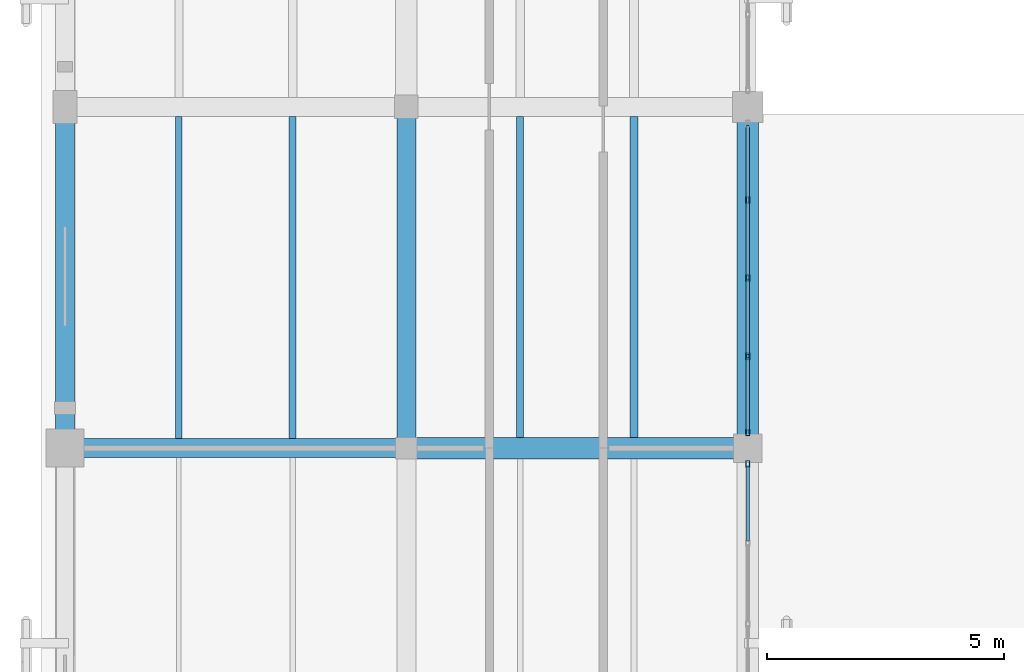
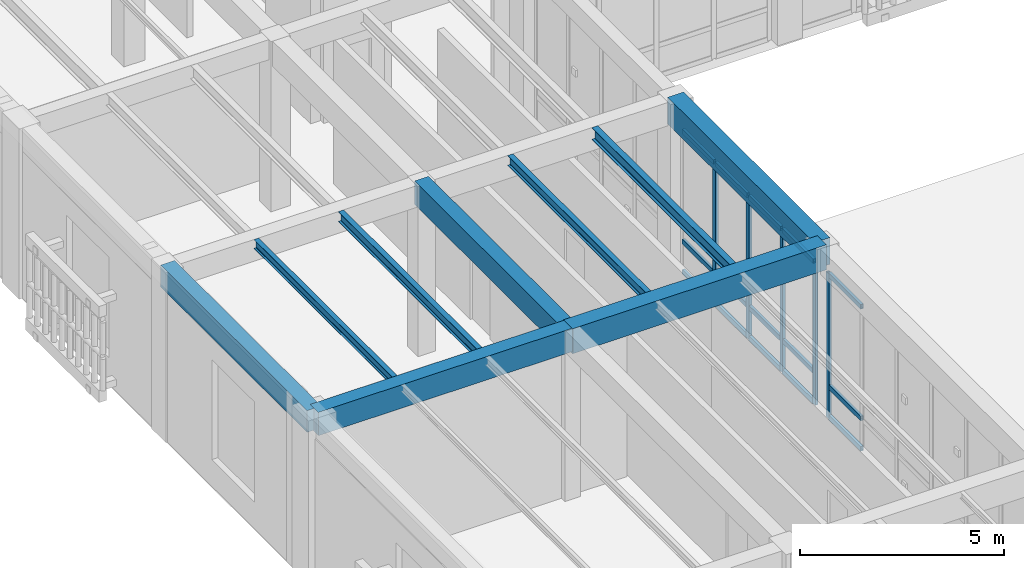
# One storey, part 31 of 169: 20 members, 9 beams, 2 elements without a shape of their own.
"""IFC4 building model written with IfcOpenShell, lengths in metres."""

from ifc_helpers import new_model, si_unit, direction, frame, origin, origin_2d, place, context, subcontext, project, spatial, rectangle, hollow_rectangle, i_section, extrude, material, layer, layer_set, material_profile, profile_set, type_object, element, aggregate, save


model = new_model("IFC4")

# Units and contexts
model_context = context("Model", 3, precision=1e-05, world=origin(), true_north=direction((0.0, 1.0)))
body_context = subcontext(model_context, "Body", "Model", "MODEL_VIEW")
ifc_project = project(units=[si_unit("LENGTHUNIT", "METRE"), si_unit("AREAUNIT", "SQUARE_METRE"), si_unit("VOLUMEUNIT", "CUBIC_METRE"), si_unit("PLANEANGLEUNIT", "RADIAN"), si_unit("MASSUNIT", "GRAM", prefix="KILO")], contexts=[model_context])

# Site, building, storey
site_placement = place(None, origin())
site = spatial("IfcSite", under=ifc_project, at=site_placement, CompositionType="ELEMENT")
building_placement = place(site_placement, origin())
building = spatial("IfcBuilding", under=site, at=building_placement, Name="Mazaris Harbour Polytechnic", CompositionType="ELEMENT")
storey_placement = place(building_placement, origin())
storey = spatial("IfcBuildingStorey", under=building, at=storey_placement, Name="L00", CompositionType="ELEMENT", Elevation=0.0)

# Curtain wall, member
ifc_material_1 = material(Name="Anodised Bronze Aluminium and Low-E Glass", Category="aluminium")
ifc_layer = layer(ifc_material_1, 0.159912109375, Name="Anodised Bronze Aluminium and Low-E Glass")
ifc_layer_set = layer_set([ifc_layer], Name="Anodised Bronze Aluminium and Low-E Glass")
curtain_wall_type = type_object("IfcCurtainWallType", Name="Cloister Court Curtain Wall", PredefinedType="NOTDEFINED", material=ifc_layer_set)
curtain_wall_1_placement = place(storey_placement, origin())
curtain_wall_1 = element("IfcCurtainWall", 1, at=curtain_wall_1_placement, inside=storey, type_object=curtain_wall_type, Name="V4 L00 Curtain Wall 104", PredefinedType="NOTDEFINED")
ifc_material_2 = material(Name="Anodised Bronze Steel S355", Category="steel")
ifc_material_profile_1 = material_profile(ifc_material_2, hollow_rectangle(XDim=0.080078125, YDim=0.139892578125, WallThickness=0.00634765625, at=origin_2d()), Name="RHS 80x140x6.3")
ifc_profile_set_1 = profile_set([ifc_material_profile_1], Name="Anodised Bronze Steel S355")
member_type_1 = type_object("IfcMemberType", Name="Curtain Mullion RHS80x140", PredefinedType="MULLION", material=ifc_profile_set_1)
member_1_placement = place(storey_placement, frame((14.39990234375, 53.66796875, 0.0), z_axis=(0.0, 0.0, 1.0), x_axis=(-1.0, 0.0, 0.0)))
member_1 = element("IfcMember", 2, at=member_1_placement, type_object=member_type_1, Name="CW-02 mullion 7", PredefinedType="MULLION", context=body_context, shape_type="SweptSolid", body=[
    extrude(hollow_rectangle(XDim=0.080078125, YDim=0.139892578125, WallThickness=0.00634765625, at=origin_2d()), origin(), (0.0, 0.0, 1.0), 4.340087890625),
])

# Curtain wall, members
curtain_wall_2_placement = place(storey_placement, origin())
curtain_wall_2 = element("IfcCurtainWall", 3, at=curtain_wall_2_placement, inside=storey, type_object=curtain_wall_type, Name="V4 L00 Curtain Wall 105", PredefinedType="NOTDEFINED")
member_2_placement = place(storey_placement, frame((14.39990234375, 54.33203125, 0.0), z_axis=(0.0, 0.0, 1.0), x_axis=(-1.0, 0.0, 0.0)))
member_2 = element("IfcMember", 4, at=member_2_placement, type_object=member_type_1, Name="CW-02 mullion 1", PredefinedType="MULLION", context=body_context, shape_type="SweptSolid", body=[
    extrude(hollow_rectangle(XDim=0.080078125, YDim=0.139892578125, WallThickness=0.00634765625, at=origin_2d()), origin(), (0.0, 0.0, 1.0), 4.2900390625),
])
member_3_placement = place(storey_placement, frame((14.39990234375, 55.939697265625, 0.0), z_axis=(0.0, 0.0, 1.0), x_axis=(-1.0, 0.0, 0.0)))
member_3 = element("IfcMember", 5, at=member_3_placement, type_object=member_type_1, Name="CW-02 mullion 2", PredefinedType="MULLION", context=body_context, shape_type="SweptSolid", body=[
    extrude(hollow_rectangle(XDim=0.080078125, YDim=0.139892578125, WallThickness=0.00634765625, at=origin_2d()), origin(), (0.0, 0.0, 1.0), 4.2900390625),
])
member_4_placement = place(storey_placement, frame((14.39990234375, 57.58740234375, 0.0), z_axis=(0.0, 0.0, 1.0), x_axis=(-1.0, 0.0, 0.0)))
member_4 = element("IfcMember", 6, at=member_4_placement, type_object=member_type_1, Name="CW-02 mullion 3", PredefinedType="MULLION", context=body_context, shape_type="SweptSolid", body=[
    extrude(hollow_rectangle(XDim=0.080078125, YDim=0.139892578125, WallThickness=0.00634765625, at=origin_2d()), origin(), (0.0, 0.0, 1.0), 4.2900390625),
])
member_5_placement = place(storey_placement, frame((14.39990234375, 59.2353515625, 0.0), z_axis=(0.0, 0.0, 1.0), x_axis=(-1.0, 0.0, 0.0)))
member_5 = element("IfcMember", 7, at=member_5_placement, type_object=member_type_1, Name="CW-02 mullion 4", PredefinedType="MULLION", context=body_context, shape_type="SweptSolid", body=[
    extrude(hollow_rectangle(XDim=0.080078125, YDim=0.139892578125, WallThickness=0.00634765625, at=origin_2d()), origin(), (0.0, 0.0, 1.0), 4.2900390625),
])

# Member
ifc_material_3 = material(Name="Anodised Bronze Steel S355", Category="steel")
ifc_material_profile_2 = material_profile(ifc_material_3, hollow_rectangle(XDim=0.080078125, YDim=0.139892578125, WallThickness=0.00634765625, at=origin_2d()), Name="RHS 80x140x6.3")
ifc_profile_set_2 = profile_set([ifc_material_profile_2], Name="Anodised Bronze Steel S355")
member_type_2 = type_object("IfcMemberType", Name="Curtain Transom RHS80x140", PredefinedType="USERDEFINED", material=ifc_profile_set_2)
member_6_placement = place(storey_placement, frame((14.39990234375, 52.041259765625, 0.0400390625), z_axis=(0.0, 1.0, 0.0), x_axis=(-1.0, 0.0, 0.0)))
member_6 = element("IfcMember", 8, at=member_6_placement, type_object=member_type_2, Name="CW-02 transom 6.1", ObjectType="TRANSOM", PredefinedType="USERDEFINED", context=body_context, shape_type="SweptSolid", body=[
    extrude(hollow_rectangle(XDim=0.080078125, YDim=0.139892578125, WallThickness=0.00634765625, at=origin_2d()), origin(), (0.0, 0.0, 1.0), 1.586669921875),
])

member_7_placement = place(storey_placement, frame((14.39990234375, 52.041259765625, 0.949951171875), z_axis=(0.0, 1.0, 0.0), x_axis=(-1.0, 0.0, 0.0)))
member_7 = element("IfcMember", 9, at=member_7_placement, type_object=member_type_2, Name="CW-02 transom 6.2", ObjectType="TRANSOM", PredefinedType="USERDEFINED", context=body_context, shape_type="SweptSolid", body=[
    extrude(hollow_rectangle(XDim=0.080078125, YDim=0.139892578125, WallThickness=0.00634765625, at=origin_2d()), origin(), (0.0, 0.0, 1.0), 1.586669921875),
])

member_8_placement = place(storey_placement, frame((14.39990234375, 52.041259765625, 4.300048828125), z_axis=(0.0, 1.0, 0.0), x_axis=(-1.0, 0.0, 0.0)))
member_8 = element("IfcMember", 10, at=member_8_placement, type_object=member_type_2, Name="CW-02 transom 6.3", ObjectType="TRANSOM", PredefinedType="USERDEFINED", context=body_context, shape_type="SweptSolid", body=[
    extrude(hollow_rectangle(XDim=0.080078125, YDim=0.139892578125, WallThickness=0.00634765625, at=origin_2d()), origin(), (0.0, 0.0, 1.0), 1.586669921875),
])

aggregate(curtain_wall_1, [member_1, member_6, member_7, member_8])

member_9_placement = place(storey_placement, frame((14.39990234375, 54.3720703125, 0.0400390625), z_axis=(0.0, 1.0, 0.0), x_axis=(-1.0, 0.0, 0.0)))
member_9 = element("IfcMember", 11, at=member_9_placement, type_object=member_type_2, Name="CW-02 transom 1.1", ObjectType="TRANSOM", PredefinedType="USERDEFINED", context=body_context, shape_type="SweptSolid", body=[
    extrude(hollow_rectangle(XDim=0.080078125, YDim=0.139892578125, WallThickness=0.00634765625, at=origin_2d()), origin(), (0.0, 0.0, 1.0), 1.527587890625),
])

member_10_placement = place(storey_placement, frame((14.39990234375, 54.3720703125, 0.949951171875), z_axis=(0.0, 1.0, 0.0), x_axis=(-1.0, 0.0, 0.0)))
member_10 = element("IfcMember", 12, at=member_10_placement, type_object=member_type_2, Name="CW-02 transom 1.2", ObjectType="TRANSOM", PredefinedType="USERDEFINED", context=body_context, shape_type="SweptSolid", body=[
    extrude(hollow_rectangle(XDim=0.080078125, YDim=0.139892578125, WallThickness=0.00634765625, at=origin_2d()), origin(), (0.0, 0.0, 1.0), 1.527587890625),
])

member_11_placement = place(storey_placement, frame((14.39990234375, 54.3720703125, 4.25), z_axis=(0.0, 1.0, 0.0), x_axis=(-1.0, 0.0, 0.0)))
member_11 = element("IfcMember", 13, at=member_11_placement, type_object=member_type_2, Name="CW-02 transom 1.3", ObjectType="TRANSOM", PredefinedType="USERDEFINED", context=body_context, shape_type="SweptSolid", body=[
    extrude(hollow_rectangle(XDim=0.080078125, YDim=0.139892578125, WallThickness=0.00634765625, at=origin_2d()), origin(), (0.0, 0.0, 1.0), 1.527587890625),
])

member_12_placement = place(storey_placement, frame((14.39990234375, 55.979736328125, 0.0400390625), z_axis=(0.0, 1.0, 0.0), x_axis=(-1.0, 0.0, 0.0)))
member_12 = element("IfcMember", 14, at=member_12_placement, type_object=member_type_2, Name="CW-02 transom 2.1", ObjectType="TRANSOM", PredefinedType="USERDEFINED", context=body_context, shape_type="SweptSolid", body=[
    extrude(hollow_rectangle(XDim=0.080078125, YDim=0.139892578125, WallThickness=0.00634765625, at=origin_2d()), origin(), (0.0, 0.0, 1.0), 1.56787109375),
])

member_13_placement = place(storey_placement, frame((14.39990234375, 55.979736328125, 0.949951171875), z_axis=(0.0, 1.0, 0.0), x_axis=(-1.0, 0.0, 0.0)))
member_13 = element("IfcMember", 15, at=member_13_placement, type_object=member_type_2, Name="CW-02 transom 2.2", ObjectType="TRANSOM", PredefinedType="USERDEFINED", context=body_context, shape_type="SweptSolid", body=[
    extrude(hollow_rectangle(XDim=0.080078125, YDim=0.139892578125, WallThickness=0.00634765625, at=origin_2d()), origin(), (0.0, 0.0, 1.0), 1.56787109375),
])

member_14_placement = place(storey_placement, frame((14.39990234375, 55.979736328125, 4.25), z_axis=(0.0, 1.0, 0.0), x_axis=(-1.0, 0.0, 0.0)))
member_14 = element("IfcMember", 16, at=member_14_placement, type_object=member_type_2, Name="CW-02 transom 2.3", ObjectType="TRANSOM", PredefinedType="USERDEFINED", context=body_context, shape_type="SweptSolid", body=[
    extrude(hollow_rectangle(XDim=0.080078125, YDim=0.139892578125, WallThickness=0.00634765625, at=origin_2d()), origin(), (0.0, 0.0, 1.0), 1.56787109375),
])

member_15_placement = place(storey_placement, frame((14.39990234375, 57.62744140625, 0.0400390625), z_axis=(0.0, 1.0, 0.0), x_axis=(-1.0, 0.0, 0.0)))
member_15 = element("IfcMember", 17, at=member_15_placement, type_object=member_type_2, Name="CW-02 transom 3.1", ObjectType="TRANSOM", PredefinedType="USERDEFINED", context=body_context, shape_type="SweptSolid", body=[
    extrude(hollow_rectangle(XDim=0.080078125, YDim=0.139892578125, WallThickness=0.00634765625, at=origin_2d()), origin(), (0.0, 0.0, 1.0), 1.56787109375),
])

member_16_placement = place(storey_placement, frame((14.39990234375, 57.62744140625, 0.949951171875), z_axis=(0.0, 1.0, 0.0), x_axis=(-1.0, 0.0, 0.0)))
member_16 = element("IfcMember", 18, at=member_16_placement, type_object=member_type_2, Name="CW-02 transom 3.2", ObjectType="TRANSOM", PredefinedType="USERDEFINED", context=body_context, shape_type="SweptSolid", body=[
    extrude(hollow_rectangle(XDim=0.080078125, YDim=0.139892578125, WallThickness=0.00634765625, at=origin_2d()), origin(), (0.0, 0.0, 1.0), 1.56787109375),
])

member_17_placement = place(storey_placement, frame((14.39990234375, 57.62744140625, 4.25), z_axis=(0.0, 1.0, 0.0), x_axis=(-1.0, 0.0, 0.0)))
member_17 = element("IfcMember", 19, at=member_17_placement, type_object=member_type_2, Name="CW-02 transom 3.3", ObjectType="TRANSOM", PredefinedType="USERDEFINED", context=body_context, shape_type="SweptSolid", body=[
    extrude(hollow_rectangle(XDim=0.080078125, YDim=0.139892578125, WallThickness=0.00634765625, at=origin_2d()), origin(), (0.0, 0.0, 1.0), 1.56787109375),
])

member_18_placement = place(storey_placement, frame((14.39990234375, 59.275146484375, 0.0400390625), z_axis=(0.0, 1.0, 0.0), x_axis=(-1.0, 0.0, 0.0)))
member_18 = element("IfcMember", 20, at=member_18_placement, type_object=member_type_2, Name="CW-02 transom 4.1", ObjectType="TRANSOM", PredefinedType="USERDEFINED", context=body_context, shape_type="SweptSolid", body=[
    extrude(hollow_rectangle(XDim=0.080078125, YDim=0.139892578125, WallThickness=0.00634765625, at=origin_2d()), origin(), (0.0, 0.0, 1.0), 1.52783203125),
])

member_19_placement = place(storey_placement, frame((14.39990234375, 59.275146484375, 0.949951171875), z_axis=(0.0, 1.0, 0.0), x_axis=(-1.0, 0.0, 0.0)))
member_19 = element("IfcMember", 21, at=member_19_placement, type_object=member_type_2, Name="CW-02 transom 4.2", ObjectType="TRANSOM", PredefinedType="USERDEFINED", context=body_context, shape_type="SweptSolid", body=[
    extrude(hollow_rectangle(XDim=0.080078125, YDim=0.139892578125, WallThickness=0.00634765625, at=origin_2d()), origin(), (0.0, 0.0, 1.0), 1.52783203125),
])

member_20_placement = place(storey_placement, frame((14.39990234375, 59.275146484375, 4.25), z_axis=(0.0, 1.0, 0.0), x_axis=(-1.0, 0.0, 0.0)))
member_20 = element("IfcMember", 22, at=member_20_placement, type_object=member_type_2, Name="CW-02 transom 4.3", ObjectType="TRANSOM", PredefinedType="USERDEFINED", context=body_context, shape_type="SweptSolid", body=[
    extrude(hollow_rectangle(XDim=0.080078125, YDim=0.139892578125, WallThickness=0.00634765625, at=origin_2d()), origin(), (0.0, 0.0, 1.0), 1.52783203125),
])

aggregate(curtain_wall_2, [member_2, member_3, member_4, member_5, member_9, member_10, member_11, member_12, member_13, member_14, member_15, member_16, member_17, member_18, member_19, member_20])

# Beams
ifc_material_4 = material(Name="Concrete C35/45", Category="concrete")
ifc_material_profile_3 = material_profile(ifc_material_4, rectangle(XDim=0.39990234375, YDim=0.64990234375, at=origin_2d()), Name="RECT400x650")
ifc_profile_set_3 = profile_set([ifc_material_profile_3], Name="Concrete C35/45")
beam_type_1 = type_object("IfcBeamType", Name="RC Girder 400x650 Exterior", PredefinedType="BEAM", material=ifc_profile_set_3)
beam_1_placement = place(storey_placement, frame((0.0, 54.0, 4.77490234375), z_axis=(0.0, 1.0, 0.0), x_axis=(-1.0, 0.0, 0.0)))
element("IfcBeam", 23, at=beam_1_placement, inside=storey, type_object=beam_type_1, Name="V4 L00 Tie Girder 1431", PredefinedType="BEAM", context=body_context, shape_type="SweptSolid", body=[
    extrude(rectangle(XDim=0.39990234375, YDim=0.64990234375, at=origin_2d()), origin(), (0.0, 0.0, 1.0), 7.199951171875),
])
ifc_material_5 = material(Name="Concrete C35/45", Category="concrete")
ifc_material_profile_4 = material_profile(ifc_material_5, rectangle(XDim=0.39990234375, YDim=0.699951171875, at=origin_2d()), Name="RECT400x700")
ifc_profile_set_4 = profile_set([ifc_material_profile_4], Name="Concrete C35/45")
beam_type_2 = type_object("IfcBeamType", Name="RC Girder 400x700", PredefinedType="BEAM", material=ifc_profile_set_4)
for number, where, z_axis, x_axis, name in (
    (24, (0.0, 54.0, 4.75), (1.0, 0.0, 0.0), (0.0, 1.0, 0.0), "V4 L00 Girder 1387"),
    (25, (7.199951171875, 54.0, 4.75), (0.0, 1.0, 0.0), (-1.0, 0.0, 0.0), "V4 L00 Tie Girder 1442"),
):
    element("IfcBeam", number, at=place(storey_placement, frame(where, z_axis=z_axis, x_axis=x_axis)), inside=storey, type_object=beam_type_2, Name=name, PredefinedType="BEAM", context=body_context, shape_type="SweptSolid", body=[
        extrude(rectangle(XDim=0.39990234375, YDim=0.699951171875, at=origin_2d()), origin(), (0.0, 0.0, 1.0), 7.199951171875),
    ])
ifc_material_6 = material(Name="Concrete C40/50", Category="concrete")
ifc_material_profile_5 = material_profile(ifc_material_6, rectangle(XDim=0.449951171875, YDim=0.75, at=origin_2d()), Name="RECT450x750")
ifc_profile_set_5 = profile_set([ifc_material_profile_5], Name="Concrete C40/50")
beam_type_3 = type_object("IfcBeamType", Name="RC Girder 450x750", PredefinedType="BEAM", material=ifc_profile_set_5)
beam_2_placement = place(storey_placement, frame((7.199951171875, 54.0, 4.72509765625), z_axis=(1.0, 0.0, 0.0), x_axis=(0.0, 1.0, 0.0)))
element("IfcBeam", 26, at=beam_2_placement, inside=storey, type_object=beam_type_3, Name="V4 L00 Girder 1388", PredefinedType="BEAM", context=body_context, shape_type="SweptSolid", body=[
    extrude(rectangle(XDim=0.449951171875, YDim=0.75, at=origin_2d()), origin(), (0.0, 0.0, 1.0), 7.199951171875),
])
ifc_material_7 = material(Name="Concrete C40/50", Category="concrete")
ifc_material_profile_6 = material_profile(ifc_material_7, rectangle(XDim=0.449951171875, YDim=0.800048828125, at=origin_2d()), Name="RECT450x800")
ifc_profile_set_6 = profile_set([ifc_material_profile_6], Name="Concrete C40/50")
beam_type_4 = type_object("IfcBeamType", Name="RC Girder 450x800", PredefinedType="BEAM", material=ifc_profile_set_6)
beam_3_placement = place(storey_placement, frame((14.39990234375, 54.0, 4.699951171875), z_axis=(0.0, 1.0, 0.0), x_axis=(-1.0, 0.0, 0.0)))
element("IfcBeam", 27, at=beam_3_placement, inside=storey, type_object=beam_type_4, Name="V4 L00 Tie Girder 1454", PredefinedType="BEAM", context=body_context, shape_type="SweptSolid", body=[
    extrude(rectangle(XDim=0.449951171875, YDim=0.800048828125, at=origin_2d()), origin(), (0.0, 0.0, 1.0), 7.199951171875),
])
ifc_material_8 = material(Name="Steel S355", Category="steel")
ifc_material_profile_7 = material_profile(ifc_material_8, i_section(OverallWidth=0.135009765625, OverallDepth=0.27001953125, WebThickness=0.006591796875, FlangeThickness=0.01025390625, FilletRadius=0.014892578125, at=origin_2d()), Name="IPE 270")
ifc_profile_set_7 = profile_set([ifc_material_profile_7], Name="Steel S355")
beam_type_5 = type_object("IfcBeamType", Name="Steel Joist IPE270", PredefinedType="JOIST", material=ifc_profile_set_7)
beam_4_placement = place(storey_placement, frame((2.39990234375, 54.199951171875, 4.965087890625), z_axis=(0.0, 1.0, 0.0), x_axis=(-1.0, 0.0, 0.0)))
element("IfcBeam", 28, at=beam_4_placement, inside=storey, type_object=beam_type_5, Name="V4 L00 Floor Joist 1514", PredefinedType="JOIST", context=body_context, shape_type="SweptSolid", body=[
    extrude(i_section(OverallWidth=0.135009765625, OverallDepth=0.27001953125, WebThickness=0.006591796875, FlangeThickness=0.01025390625, FilletRadius=0.014892578125, at=origin_2d()), origin(), (0.0, 0.0, 1.0), 6.800048828125),
])
ifc_material_9 = material(Name="Steel S355", Category="steel")
ifc_material_profile_8 = material_profile(ifc_material_9, i_section(OverallWidth=0.14990234375, OverallDepth=0.300048828125, WebThickness=0.007080078125, FlangeThickness=0.0107421875, FilletRadius=0.014892578125, at=origin_2d()), Name="IPE 300")
ifc_profile_set_8 = profile_set([ifc_material_profile_8], Name="Steel S355")
beam_type_6 = type_object("IfcBeamType", Name="Steel Joist IPE300", PredefinedType="JOIST", material=ifc_profile_set_8)
beam_5_placement = place(storey_placement, frame((4.800048828125, 54.199951171875, 4.949951171875), z_axis=(0.0, 1.0, 0.0), x_axis=(-1.0, 0.0, 0.0)))
element("IfcBeam", 29, at=beam_5_placement, inside=storey, type_object=beam_type_6, Name="V4 L00 Floor Joist 1515", PredefinedType="JOIST", context=body_context, shape_type="SweptSolid", body=[
    extrude(i_section(OverallWidth=0.14990234375, OverallDepth=0.300048828125, WebThickness=0.007080078125, FlangeThickness=0.0107421875, FilletRadius=0.014892578125, at=origin_2d()), origin(), (0.0, 0.0, 1.0), 6.800048828125),
])
beam_6_placement = place(storey_placement, frame((9.60009765625, 54.22509765625, 4.949951171875), z_axis=(0.0, 1.0, 0.0), x_axis=(-1.0, 0.0, 0.0)))
element("IfcBeam", 30, at=beam_6_placement, inside=storey, type_object=beam_type_6, Name="V4 L00 Floor Joist 1536", PredefinedType="JOIST", context=body_context, shape_type="SweptSolid", body=[
    extrude(i_section(OverallWidth=0.14990234375, OverallDepth=0.300048828125, WebThickness=0.007080078125, FlangeThickness=0.0107421875, FilletRadius=0.014892578125, at=origin_2d()), origin(), (0.0, 0.0, 1.0), 6.77490234375),
])
ifc_material_10 = material(Name="Steel S355", Category="steel")
ifc_material_profile_9 = material_profile(ifc_material_10, i_section(OverallWidth=0.169921875, OverallDepth=0.360107421875, WebThickness=0.008056640625, FlangeThickness=0.0126953125, FilletRadius=0.01806640625, at=origin_2d()), Name="IPE 360")
ifc_profile_set_9 = profile_set([ifc_material_profile_9], Name="Steel S355")
beam_type_7 = type_object("IfcBeamType", Name="Steel Joist IPE360", PredefinedType="JOIST", material=ifc_profile_set_9)
beam_7_placement = place(storey_placement, frame((12.0, 54.22509765625, 4.919921875), z_axis=(0.0, 1.0, 0.0), x_axis=(-1.0, 0.0, 0.0)))
element("IfcBeam", 31, at=beam_7_placement, inside=storey, type_object=beam_type_7, Name="V4 L00 Floor Joist 1537", PredefinedType="JOIST", context=body_context, shape_type="SweptSolid", body=[
    extrude(i_section(OverallWidth=0.169921875, OverallDepth=0.360107421875, WebThickness=0.008056640625, FlangeThickness=0.0126953125, FilletRadius=0.01806640625, at=origin_2d()), origin(), (0.0, 0.0, 1.0), 6.77490234375),
])

save(model, "model.ifc")
